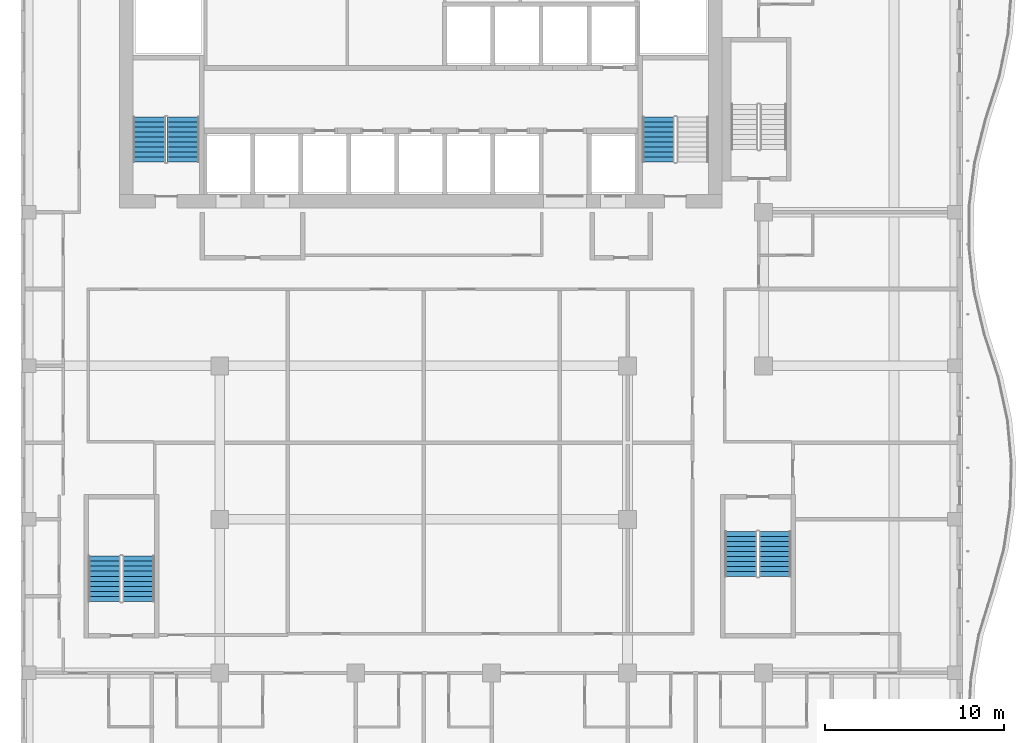
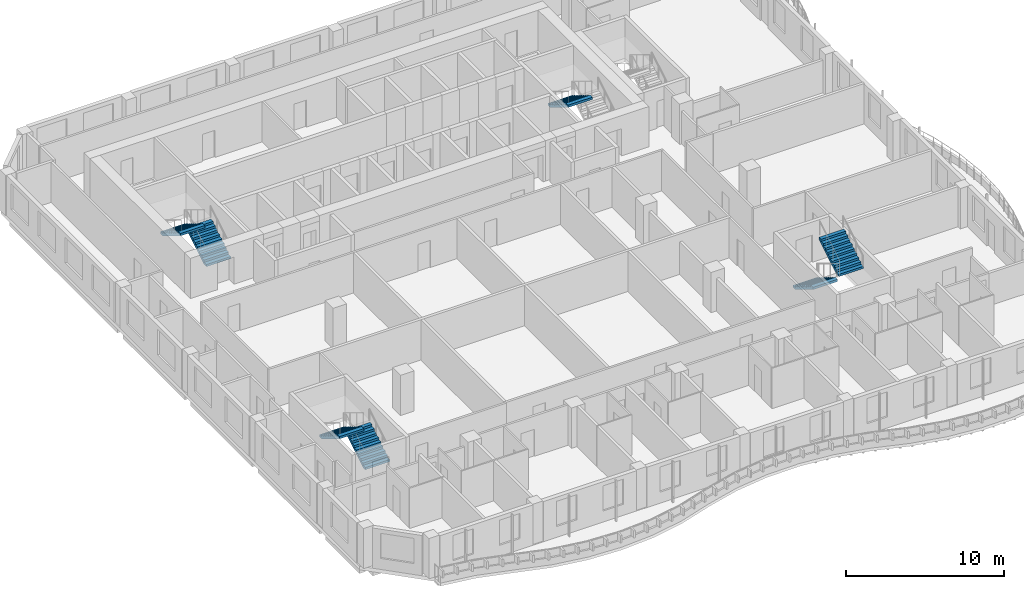
# One storey, part 11 of 21: 7 stair flights, 4 elements without a shape of their own.
"""IFC4 building model written with IfcOpenShell, lengths in metres."""

from ifc_helpers import new_model, si_unit, direction, frame, origin, place, context, subcontext, project, spatial, triangles, source, transform, mapped, material, type_object, element, aggregate, save


model = new_model("IFC4")

# Units and contexts
model_context = context("Model", 3, precision=1e-05, world=origin(), true_north=direction((0.0, 1.0)))
body_context = subcontext(model_context, "Body", "Model", "MODEL_VIEW")
ifc_project = project(units=[si_unit("LENGTHUNIT", "METRE"), si_unit("AREAUNIT", "SQUARE_METRE"), si_unit("VOLUMEUNIT", "CUBIC_METRE"), si_unit("PLANEANGLEUNIT", "RADIAN"), si_unit("MASSUNIT", "GRAM", prefix="KILO")], contexts=[model_context])

# Site, building, storey
site_placement = place(None, origin())
site = spatial("IfcSite", under=ifc_project, at=site_placement, CompositionType="ELEMENT")
building_placement = place(site_placement, origin())
building = spatial("IfcBuilding", under=site, at=building_placement, Name="Kilnfold Tower and Market Hall", CompositionType="ELEMENT")
storey_placement = place(building_placement, frame((0.0, 0.0, 210.10009765625)))
storey = spatial("IfcBuildingStorey", under=building, at=storey_placement, Name="L51", CompositionType="ELEMENT", Elevation=210.10009765625)

# Stair, stair flights
ifc_material_1 = material(Name="Concrete C40/50", Category="concrete")
stair_type = type_object("IfcStairType", Name="CORE STAIR 1800", PredefinedType="HALF_TURN_STAIR", material=ifc_material_1)
stair_1_placement = place(storey_placement, origin())
stair_1 = element("IfcStair", 1, at=stair_1_placement, inside=storey, type_object=stair_type, Name="L51 ST1", PredefinedType="HALF_TURN_STAIR")
ifc_material_2 = material(Name="Concrete C40/50", Category="concrete")
stair_flight_type = type_object("IfcStairFlightType", Name="CORE STAIR FLIGHT 1800", PredefinedType="STRAIGHT", material=ifc_material_2)
shared_shape = source(origin(), body_context, "Body", "Tessellation", [
    triangles([(0.0, 0.89990234375, 0.0), (0.0, 0.78759765625, 0.0), (0.0, 0.675048828125, 0.0), (0.0, 0.5625, 0.0), (0.0, 0.449951171875, 0.0), (0.0, 0.33740234375, 0.0), (0.0, 0.22509765625, 0.0), (0.0, 0.112548828125, 0.0), (0.0, 0.0, 0.0), (0.0, -0.112548828125, 0.0), (0.0, -0.22509765625, 0.0), (0.0, -0.33740234375, 0.0), (0.0, -0.449951171875, 0.0), (0.0, -0.5625, 0.0), (0.0, -0.675048828125, 0.0), (0.0, -0.78759765625, 0.0), (0.0, -0.89990234375, 0.0), (0.0, 0.89990234375, 0.169921875), (0.0, 0.78759765625, 0.169921875), (0.0, 0.675048828125, 0.169921875), (0.0, 0.5625, 0.169921875), (0.0, 0.449951171875, 0.169921875), (0.0, 0.33740234375, 0.169921875), (0.0, 0.22509765625, 0.169921875), (0.0, 0.112548828125, 0.169921875), (0.0, 0.0, 0.169921875), (0.0, -0.112548828125, 0.169921875), (0.0, -0.22509765625, 0.169921875), (0.0, -0.33740234375, 0.169921875), (0.0, -0.449951171875, 0.169921875), (0.0, -0.5625, 0.169921875), (0.0, -0.675048828125, 0.169921875), (0.0, -0.78759765625, 0.169921875), (0.0, -0.89990234375, 0.169921875), (0.280029296875, 0.89990234375, 0.169921875), (0.280029296875, 0.78759765625, 0.169921875), (0.280029296875, 0.675048828125, 0.169921875), (0.280029296875, 0.5625, 0.169921875), (0.280029296875, 0.449951171875, 0.169921875), (0.280029296875, 0.33740234375, 0.169921875), (0.280029296875, 0.22509765625, 0.169921875), (0.280029296875, 0.112548828125, 0.169921875), (0.280029296875, 0.0, 0.169921875), (0.280029296875, -0.112548828125, 0.169921875), (0.280029296875, -0.22509765625, 0.169921875), (0.280029296875, -0.33740234375, 0.169921875), (0.280029296875, -0.449951171875, 0.169921875), (0.280029296875, -0.5625, 0.169921875), (0.280029296875, -0.675048828125, 0.169921875), (0.280029296875, -0.78759765625, 0.169921875), (0.280029296875, -0.89990234375, 0.169921875), (0.280029296875, 0.89990234375, 0.340087890625), (0.280029296875, 0.78759765625, 0.340087890625), (0.280029296875, 0.675048828125, 0.340087890625), (0.280029296875, 0.5625, 0.340087890625), (0.280029296875, 0.449951171875, 0.340087890625), (0.280029296875, 0.33740234375, 0.340087890625), (0.280029296875, 0.22509765625, 0.340087890625), (0.280029296875, 0.112548828125, 0.340087890625), (0.280029296875, 0.0, 0.340087890625), (0.280029296875, -0.112548828125, 0.340087890625), (0.280029296875, -0.22509765625, 0.340087890625), (0.280029296875, -0.33740234375, 0.340087890625), (0.280029296875, -0.449951171875, 0.340087890625), (0.280029296875, -0.5625, 0.340087890625), (0.280029296875, -0.675048828125, 0.340087890625), (0.280029296875, -0.78759765625, 0.340087890625), (0.280029296875, -0.89990234375, 0.340087890625), (0.56005859375, 0.89990234375, 0.340087890625), (0.56005859375, 0.78759765625, 0.340087890625), (0.56005859375, 0.675048828125, 0.340087890625), (0.56005859375, 0.5625, 0.340087890625), (0.56005859375, 0.449951171875, 0.340087890625), (0.56005859375, 0.33740234375, 0.340087890625), (0.56005859375, 0.22509765625, 0.340087890625), (0.56005859375, 0.112548828125, 0.340087890625), (0.56005859375, 0.0, 0.340087890625), (0.56005859375, -0.112548828125, 0.340087890625), (0.56005859375, -0.22509765625, 0.340087890625), (0.56005859375, -0.33740234375, 0.340087890625), (0.56005859375, -0.449951171875, 0.340087890625), (0.56005859375, -0.5625, 0.340087890625), (0.56005859375, -0.675048828125, 0.340087890625), (0.56005859375, -0.78759765625, 0.340087890625), (0.56005859375, -0.89990234375, 0.340087890625), (0.56005859375, 0.89990234375, 0.510009765625), (0.56005859375, 0.78759765625, 0.510009765625), (0.56005859375, 0.675048828125, 0.510009765625), (0.56005859375, 0.5625, 0.510009765625), (0.56005859375, 0.449951171875, 0.510009765625), (0.56005859375, 0.33740234375, 0.510009765625), (0.56005859375, 0.22509765625, 0.510009765625), (0.56005859375, 0.112548828125, 0.510009765625), (0.56005859375, 0.0, 0.510009765625), (0.56005859375, -0.112548828125, 0.510009765625), (0.56005859375, -0.22509765625, 0.510009765625), (0.56005859375, -0.33740234375, 0.510009765625), (0.56005859375, -0.449951171875, 0.510009765625), (0.56005859375, -0.5625, 0.510009765625), (0.56005859375, -0.675048828125, 0.510009765625), (0.56005859375, -0.78759765625, 0.510009765625), (0.56005859375, -0.89990234375, 0.510009765625), (0.840087890625, 0.89990234375, 0.510009765625), (0.840087890625, 0.78759765625, 0.510009765625), (0.840087890625, 0.675048828125, 0.510009765625), (0.840087890625, 0.5625, 0.510009765625), (0.840087890625, 0.449951171875, 0.510009765625), (0.840087890625, 0.33740234375, 0.510009765625), (0.840087890625, 0.22509765625, 0.510009765625), (0.840087890625, 0.112548828125, 0.510009765625), (0.840087890625, 0.0, 0.510009765625), (0.840087890625, -0.112548828125, 0.510009765625), (0.840087890625, -0.22509765625, 0.510009765625), (0.840087890625, -0.33740234375, 0.510009765625), (0.840087890625, -0.449951171875, 0.510009765625), (0.840087890625, -0.5625, 0.510009765625), (0.840087890625, -0.675048828125, 0.510009765625), (0.840087890625, -0.78759765625, 0.510009765625), (0.840087890625, -0.89990234375, 0.510009765625), (0.840087890625, 0.89990234375, 0.679931640625), (0.840087890625, 0.78759765625, 0.679931640625), (0.840087890625, 0.675048828125, 0.679931640625), (0.840087890625, 0.5625, 0.679931640625), (0.840087890625, 0.449951171875, 0.679931640625), (0.840087890625, 0.33740234375, 0.679931640625), (0.840087890625, 0.22509765625, 0.679931640625), (0.840087890625, 0.112548828125, 0.679931640625), (0.840087890625, 0.0, 0.679931640625), (0.840087890625, -0.112548828125, 0.679931640625), (0.840087890625, -0.22509765625, 0.679931640625), (0.840087890625, -0.33740234375, 0.679931640625), (0.840087890625, -0.449951171875, 0.679931640625), (0.840087890625, -0.5625, 0.679931640625), (0.840087890625, -0.675048828125, 0.679931640625), (0.840087890625, -0.78759765625, 0.679931640625), (0.840087890625, -0.89990234375, 0.679931640625), (1.1201171875, 0.89990234375, 0.679931640625), (1.1201171875, 0.78759765625, 0.679931640625), (1.1201171875, 0.675048828125, 0.679931640625), (1.1201171875, 0.5625, 0.679931640625), (1.1201171875, 0.449951171875, 0.679931640625), (1.1201171875, 0.33740234375, 0.679931640625), (1.1201171875, 0.22509765625, 0.679931640625), (1.1201171875, 0.112548828125, 0.679931640625), (1.1201171875, 0.0, 0.679931640625), (1.1201171875, -0.112548828125, 0.679931640625), (1.1201171875, -0.22509765625, 0.679931640625), (1.1201171875, -0.33740234375, 0.679931640625), (1.1201171875, -0.449951171875, 0.679931640625), (1.1201171875, -0.5625, 0.679931640625), (1.1201171875, -0.675048828125, 0.679931640625), (1.1201171875, -0.78759765625, 0.679931640625), (1.1201171875, -0.89990234375, 0.679931640625), (1.1201171875, 0.89990234375, 0.85009765625), (1.1201171875, 0.78759765625, 0.85009765625), (1.1201171875, 0.675048828125, 0.85009765625), (1.1201171875, 0.5625, 0.85009765625), (1.1201171875, 0.449951171875, 0.85009765625), (1.1201171875, 0.33740234375, 0.85009765625), (1.1201171875, 0.22509765625, 0.85009765625), (1.1201171875, 0.112548828125, 0.85009765625), (1.1201171875, 0.0, 0.85009765625), (1.1201171875, -0.112548828125, 0.85009765625), (1.1201171875, -0.22509765625, 0.85009765625), (1.1201171875, -0.33740234375, 0.85009765625), (1.1201171875, -0.449951171875, 0.85009765625), (1.1201171875, -0.5625, 0.85009765625), (1.1201171875, -0.675048828125, 0.85009765625), (1.1201171875, -0.78759765625, 0.85009765625), (1.1201171875, -0.89990234375, 0.85009765625), (1.39990234375, 0.89990234375, 0.85009765625), (1.39990234375, 0.78759765625, 0.85009765625), (1.39990234375, 0.675048828125, 0.85009765625), (1.39990234375, 0.5625, 0.85009765625), (1.39990234375, 0.449951171875, 0.85009765625), (1.39990234375, 0.33740234375, 0.85009765625), (1.39990234375, 0.22509765625, 0.85009765625), (1.39990234375, 0.112548828125, 0.85009765625), (1.39990234375, 0.0, 0.85009765625), (1.39990234375, -0.112548828125, 0.85009765625), (1.39990234375, -0.22509765625, 0.85009765625), (1.39990234375, -0.33740234375, 0.85009765625), (1.39990234375, -0.449951171875, 0.85009765625), (1.39990234375, -0.5625, 0.85009765625), (1.39990234375, -0.675048828125, 0.85009765625), (1.39990234375, -0.78759765625, 0.85009765625), (1.39990234375, -0.89990234375, 0.85009765625), (1.39990234375, 0.89990234375, 1.02001953125), (1.39990234375, 0.78759765625, 1.02001953125), (1.39990234375, 0.675048828125, 1.02001953125), (1.39990234375, 0.5625, 1.02001953125), (1.39990234375, 0.449951171875, 1.02001953125), (1.39990234375, 0.33740234375, 1.02001953125), (1.39990234375, 0.22509765625, 1.02001953125), (1.39990234375, 0.112548828125, 1.02001953125), (1.39990234375, 0.0, 1.02001953125), (1.39990234375, -0.112548828125, 1.02001953125), (1.39990234375, -0.22509765625, 1.02001953125), (1.39990234375, -0.33740234375, 1.02001953125), (1.39990234375, -0.449951171875, 1.02001953125), (1.39990234375, -0.5625, 1.02001953125), (1.39990234375, -0.675048828125, 1.02001953125), (1.39990234375, -0.78759765625, 1.02001953125), (1.39990234375, -0.89990234375, 1.02001953125), (1.679931640625, 0.89990234375, 1.02001953125), (1.679931640625, 0.78759765625, 1.02001953125), (1.679931640625, 0.675048828125, 1.02001953125), (1.679931640625, 0.5625, 1.02001953125), (1.679931640625, 0.449951171875, 1.02001953125), (1.679931640625, 0.33740234375, 1.02001953125), (1.679931640625, 0.22509765625, 1.02001953125), (1.679931640625, 0.112548828125, 1.02001953125), (1.679931640625, 0.0, 1.02001953125), (1.679931640625, -0.112548828125, 1.02001953125), (1.679931640625, -0.22509765625, 1.02001953125), (1.679931640625, -0.33740234375, 1.02001953125), (1.679931640625, -0.449951171875, 1.02001953125), (1.679931640625, -0.5625, 1.02001953125), (1.679931640625, -0.675048828125, 1.02001953125), (1.679931640625, -0.78759765625, 1.02001953125), (1.679931640625, -0.89990234375, 1.02001953125), (1.679931640625, 0.89990234375, 1.18994140625), (1.679931640625, 0.78759765625, 1.18994140625), (1.679931640625, 0.675048828125, 1.18994140625), (1.679931640625, 0.5625, 1.18994140625), (1.679931640625, 0.449951171875, 1.18994140625), (1.679931640625, 0.33740234375, 1.18994140625), (1.679931640625, 0.22509765625, 1.18994140625), (1.679931640625, 0.112548828125, 1.18994140625), (1.679931640625, 0.0, 1.18994140625), (1.679931640625, -0.112548828125, 1.18994140625), (1.679931640625, -0.22509765625, 1.18994140625), (1.679931640625, -0.33740234375, 1.18994140625), (1.679931640625, -0.449951171875, 1.18994140625), (1.679931640625, -0.5625, 1.18994140625), (1.679931640625, -0.675048828125, 1.18994140625), (1.679931640625, -0.78759765625, 1.18994140625), (1.679931640625, -0.89990234375, 1.18994140625), (1.9599609375, 0.89990234375, 1.18994140625), (1.9599609375, 0.78759765625, 1.18994140625), (1.9599609375, 0.675048828125, 1.18994140625), (1.9599609375, 0.5625, 1.18994140625), (1.9599609375, 0.449951171875, 1.18994140625), (1.9599609375, 0.33740234375, 1.18994140625), (1.9599609375, 0.22509765625, 1.18994140625), (1.9599609375, 0.112548828125, 1.18994140625), (1.9599609375, 0.0, 1.18994140625), (1.9599609375, -0.112548828125, 1.18994140625), (1.9599609375, -0.22509765625, 1.18994140625), (1.9599609375, -0.33740234375, 1.18994140625), (1.9599609375, -0.449951171875, 1.18994140625), (1.9599609375, -0.5625, 1.18994140625), (1.9599609375, -0.675048828125, 1.18994140625), (1.9599609375, -0.78759765625, 1.18994140625), (1.9599609375, -0.89990234375, 1.18994140625), (1.9599609375, 0.89990234375, 1.360107421875), (1.9599609375, 0.78759765625, 1.360107421875), (1.9599609375, 0.675048828125, 1.360107421875), (1.9599609375, 0.5625, 1.360107421875), (1.9599609375, 0.449951171875, 1.360107421875), (1.9599609375, 0.33740234375, 1.360107421875), (1.9599609375, 0.22509765625, 1.360107421875), (1.9599609375, 0.112548828125, 1.360107421875), (1.9599609375, 0.0, 1.360107421875), (1.9599609375, -0.112548828125, 1.360107421875), (1.9599609375, -0.22509765625, 1.360107421875), (1.9599609375, -0.33740234375, 1.360107421875), (1.9599609375, -0.449951171875, 1.360107421875), (1.9599609375, -0.5625, 1.360107421875), (1.9599609375, -0.675048828125, 1.360107421875), (1.9599609375, -0.78759765625, 1.360107421875), (1.9599609375, -0.89990234375, 1.360107421875), (2.239990234375, 0.89990234375, 1.360107421875), (2.239990234375, 0.78759765625, 1.360107421875), (2.239990234375, 0.675048828125, 1.360107421875), (2.239990234375, 0.5625, 1.360107421875), (2.239990234375, 0.449951171875, 1.360107421875), (2.239990234375, 0.33740234375, 1.360107421875), (2.239990234375, 0.22509765625, 1.360107421875), (2.239990234375, 0.112548828125, 1.360107421875), (2.239990234375, 0.0, 1.360107421875), (2.239990234375, -0.112548828125, 1.360107421875), (2.239990234375, -0.22509765625, 1.360107421875), (2.239990234375, -0.33740234375, 1.360107421875), (2.239990234375, -0.449951171875, 1.360107421875), (2.239990234375, -0.5625, 1.360107421875), (2.239990234375, -0.675048828125, 1.360107421875), (2.239990234375, -0.78759765625, 1.360107421875), (2.239990234375, -0.89990234375, 1.360107421875), (2.239990234375, 0.89990234375, 1.530029296875), (2.239990234375, 0.78759765625, 1.530029296875), (2.239990234375, 0.675048828125, 1.530029296875), (2.239990234375, 0.5625, 1.530029296875), (2.239990234375, 0.449951171875, 1.530029296875), (2.239990234375, 0.33740234375, 1.530029296875), (2.239990234375, 0.22509765625, 1.530029296875), (2.239990234375, 0.112548828125, 1.530029296875), (2.239990234375, 0.0, 1.530029296875), (2.239990234375, -0.112548828125, 1.530029296875), (2.239990234375, -0.22509765625, 1.530029296875), (2.239990234375, -0.33740234375, 1.530029296875), (2.239990234375, -0.449951171875, 1.530029296875), (2.239990234375, -0.5625, 1.530029296875), (2.239990234375, -0.675048828125, 1.530029296875), (2.239990234375, -0.78759765625, 1.530029296875), (2.239990234375, -0.89990234375, 1.530029296875), (2.52001953125, 0.89990234375, 1.530029296875), (2.52001953125, 0.78759765625, 1.530029296875), (2.52001953125, 0.675048828125, 1.530029296875), (2.52001953125, 0.5625, 1.530029296875), (2.52001953125, 0.449951171875, 1.530029296875), (2.52001953125, 0.33740234375, 1.530029296875), (2.52001953125, 0.22509765625, 1.530029296875), (2.52001953125, 0.112548828125, 1.530029296875), (2.52001953125, 0.0, 1.530029296875), (2.52001953125, -0.112548828125, 1.530029296875), (2.52001953125, -0.22509765625, 1.530029296875), (2.52001953125, -0.33740234375, 1.530029296875), (2.52001953125, -0.449951171875, 1.530029296875), (2.52001953125, -0.5625, 1.530029296875), (2.52001953125, -0.675048828125, 1.530029296875), (2.52001953125, -0.78759765625, 1.530029296875), (2.52001953125, -0.89990234375, 1.530029296875), (2.52001953125, 0.89990234375, 1.354736328125), (2.52001953125, 0.78759765625, 1.354736328125), (2.52001953125, 0.675048828125, 1.354736328125), (2.52001953125, 0.5625, 1.354736328125), (2.52001953125, 0.449951171875, 1.354736328125), (2.52001953125, 0.33740234375, 1.354736328125), (2.52001953125, 0.22509765625, 1.354736328125), (2.52001953125, 0.112548828125, 1.354736328125), (2.52001953125, 0.0, 1.354736328125), (2.52001953125, -0.112548828125, 1.354736328125), (2.52001953125, -0.22509765625, 1.354736328125), (2.52001953125, -0.33740234375, 1.354736328125), (2.52001953125, -0.449951171875, 1.354736328125), (2.52001953125, -0.5625, 1.354736328125), (2.52001953125, -0.675048828125, 1.354736328125), (2.52001953125, -0.78759765625, 1.354736328125), (2.52001953125, -0.89990234375, 1.354736328125), (0.288818359375, 0.89990234375, 0.0), (0.288818359375, 0.78759765625, 0.0), (0.288818359375, 0.675048828125, 0.0), (0.288818359375, 0.5625, 0.0), (0.288818359375, 0.449951171875, 0.0), (0.288818359375, 0.33740234375, 0.0), (0.288818359375, 0.22509765625, 0.0), (0.288818359375, 0.112548828125, 0.0), (0.288818359375, 0.0, 0.0), (0.288818359375, -0.112548828125, 0.0), (0.288818359375, -0.22509765625, 0.0), (0.288818359375, -0.33740234375, 0.0), (0.288818359375, -0.449951171875, 0.0), (0.288818359375, -0.5625, 0.0), (0.288818359375, -0.675048828125, 0.0), (0.288818359375, -0.78759765625, 0.0), (0.288818359375, -0.89990234375, 0.0)], [[1, 324, 341], [17, 357, 340], [324, 290, 307], [340, 323, 306], [324, 273, 290], [340, 306, 289], [324, 256, 273], [340, 289, 272], [324, 239, 256], [340, 272, 255], [239, 205, 222], [255, 238, 221], [324, 205, 239], [340, 255, 221], [205, 171, 188], [221, 204, 187], [324, 171, 205], [340, 221, 187], [171, 137, 154], [187, 170, 153], [324, 137, 171], [340, 187, 153], [137, 103, 120], [153, 136, 119], [324, 103, 137], [340, 153, 119], [103, 69, 86], [119, 102, 85], [324, 69, 103], [340, 119, 85], [69, 35, 52], [85, 68, 51], [324, 35, 69], [340, 85, 51], [1, 35, 324], [17, 340, 51], [35, 1, 18], [51, 34, 17], [1, 19, 18], [1, 2, 19], [2, 20, 19], [2, 3, 20], [3, 21, 20], [3, 4, 21], [4, 22, 21], [4, 5, 22], [5, 23, 22], [5, 6, 23], [6, 24, 23], [6, 7, 24], [7, 25, 24], [7, 8, 25], [8, 26, 25], [8, 9, 26], [9, 27, 26], [9, 10, 27], [10, 28, 27], [10, 11, 28], [11, 29, 28], [11, 12, 29], [12, 30, 29], [12, 13, 30], [13, 31, 30], [13, 14, 31], [14, 32, 31], [14, 15, 32], [15, 33, 32], [15, 16, 33], [16, 34, 33], [16, 17, 34], [18, 36, 35], [18, 19, 36], [19, 37, 36], [19, 20, 37], [20, 38, 37], [20, 21, 38], [21, 39, 38], [21, 22, 39], [22, 40, 39], [22, 23, 40], [23, 41, 40], [23, 24, 41], [24, 42, 41], [24, 25, 42], [25, 43, 42], [25, 26, 43], [26, 44, 43], [26, 27, 44], [27, 45, 44], [27, 28, 45], [28, 46, 45], [28, 29, 46], [29, 47, 46], [29, 30, 47], [30, 48, 47], [30, 31, 48], [31, 49, 48], [31, 32, 49], [32, 50, 49], [32, 33, 50], [33, 51, 50], [33, 34, 51], [35, 53, 52], [35, 36, 53], [36, 54, 53], [36, 37, 54], [37, 55, 54], [37, 38, 55], [38, 56, 55], [38, 39, 56], [39, 57, 56], [39, 40, 57], [40, 58, 57], [40, 41, 58], [41, 59, 58], [41, 42, 59], [42, 60, 59], [42, 43, 60], [43, 61, 60], [43, 44, 61], [44, 62, 61], [44, 45, 62], [45, 63, 62], [45, 46, 63], [46, 64, 63], [46, 47, 64], [47, 65, 64], [47, 48, 65], [48, 66, 65], [48, 49, 66], [49, 67, 66], [49, 50, 67], [50, 68, 67], [50, 51, 68], [52, 70, 69], [52, 53, 70], [53, 71, 70], [53, 54, 71], [54, 72, 71], [54, 55, 72], [55, 73, 72], [55, 56, 73], [56, 74, 73], [56, 57, 74], [57, 75, 74], [57, 58, 75], [58, 76, 75], [58, 59, 76], [59, 77, 76], [59, 60, 77], [60, 78, 77], [60, 61, 78], [61, 79, 78], [61, 62, 79], [62, 80, 79], [62, 63, 80], [63, 81, 80], [63, 64, 81], [64, 82, 81], [64, 65, 82], [65, 83, 82], [65, 66, 83], [66, 84, 83], [66, 67, 84], [67, 85, 84], [67, 68, 85], [69, 87, 86], [69, 70, 87], [70, 88, 87], [70, 71, 88], [71, 89, 88], [71, 72, 89], [72, 90, 89], [72, 73, 90], [73, 91, 90], [73, 74, 91], [74, 92, 91], [74, 75, 92], [75, 93, 92], [75, 76, 93], [76, 94, 93], [76, 77, 94], [77, 95, 94], [77, 78, 95], [78, 96, 95], [78, 79, 96], [79, 97, 96], [79, 80, 97], [80, 98, 97], [80, 81, 98], [81, 99, 98], [81, 82, 99], [82, 100, 99], [82, 83, 100], [83, 101, 100], [83, 84, 101], [84, 102, 101], [84, 85, 102], [86, 104, 103], [86, 87, 104], [87, 105, 104], [87, 88, 105], [88, 106, 105], [88, 89, 106], [89, 107, 106], [89, 90, 107], [90, 108, 107], [90, 91, 108], [91, 109, 108], [91, 92, 109], [92, 110, 109], [92, 93, 110], [93, 111, 110], [93, 94, 111], [94, 112, 111], [94, 95, 112], [95, 113, 112], [95, 96, 113], [96, 114, 113], [96, 97, 114], [97, 115, 114], [97, 98, 115], [98, 116, 115], [98, 99, 116], [99, 117, 116], [99, 100, 117], [100, 118, 117], [100, 101, 118], [101, 119, 118], [101, 102, 119], [103, 121, 120], [103, 104, 121], [104, 122, 121], [104, 105, 122], [105, 123, 122], [105, 106, 123], [106, 124, 123], [106, 107, 124], [107, 125, 124], [107, 108, 125], [108, 126, 125], [108, 109, 126], [109, 127, 126], [109, 110, 127], [110, 128, 127], [110, 111, 128], [111, 129, 128], [111, 112, 129], [112, 130, 129], [112, 113, 130], [113, 131, 130], [113, 114, 131], [114, 132, 131], [114, 115, 132], [115, 133, 132], [115, 116, 133], [116, 134, 133], [116, 117, 134], [117, 135, 134], [117, 118, 135], [118, 136, 135], [118, 119, 136], [120, 138, 137], [120, 121, 138], [121, 139, 138], [121, 122, 139], [122, 140, 139], [122, 123, 140], [123, 141, 140], [123, 124, 141], [124, 142, 141], [124, 125, 142], [125, 143, 142], [125, 126, 143], [126, 144, 143], [126, 127, 144], [127, 145, 144], [127, 128, 145], [128, 146, 145], [128, 129, 146], [129, 147, 146], [129, 130, 147], [130, 148, 147], [130, 131, 148], [131, 149, 148], [131, 132, 149], [132, 150, 149], [132, 133, 150], [133, 151, 150], [133, 134, 151], [134, 152, 151], [134, 135, 152], [135, 153, 152], [135, 136, 153], [137, 155, 154], [137, 138, 155], [138, 156, 155], [138, 139, 156], [139, 157, 156], [139, 140, 157], [140, 158, 157], [140, 141, 158], [141, 159, 158], [141, 142, 159], [142, 160, 159], [142, 143, 160], [143, 161, 160], [143, 144, 161], [144, 162, 161], [144, 145, 162], [145, 163, 162], [145, 146, 163], [146, 164, 163], [146, 147, 164], [147, 165, 164], [147, 148, 165], [148, 166, 165], [148, 149, 166], [149, 167, 166], [149, 150, 167], [150, 168, 167], [150, 151, 168], [151, 169, 168], [151, 152, 169], [152, 170, 169], [152, 153, 170], [154, 172, 171], [154, 155, 172], [155, 173, 172], [155, 156, 173], [156, 174, 173], [156, 157, 174], [157, 175, 174], [157, 158, 175], [158, 176, 175], [158, 159, 176], [159, 177, 176], [159, 160, 177], [160, 178, 177], [160, 161, 178], [161, 179, 178], [161, 162, 179], [162, 180, 179], [162, 163, 180], [163, 181, 180], [163, 164, 181], [164, 182, 181], [164, 165, 182], [165, 183, 182], [165, 166, 183], [166, 184, 183], [166, 167, 184], [167, 185, 184], [167, 168, 185], [168, 186, 185], [168, 169, 186], [169, 187, 186], [169, 170, 187], [171, 189, 188], [171, 172, 189], [172, 190, 189], [172, 173, 190], [173, 191, 190], [173, 174, 191], [174, 192, 191], [174, 175, 192], [175, 193, 192], [175, 176, 193], [176, 194, 193], [176, 177, 194], [177, 195, 194], [177, 178, 195], [178, 196, 195], [178, 179, 196], [179, 197, 196], [179, 180, 197], [180, 198, 197], [180, 181, 198], [181, 199, 198], [181, 182, 199], [182, 200, 199], [182, 183, 200], [183, 201, 200], [183, 184, 201], [184, 202, 201], [184, 185, 202], [185, 203, 202], [185, 186, 203], [186, 204, 203], [186, 187, 204], [188, 206, 205], [188, 189, 206], [189, 207, 206], [189, 190, 207], [190, 208, 207], [190, 191, 208], [191, 209, 208], [191, 192, 209], [192, 210, 209], [192, 193, 210], [193, 211, 210], [193, 194, 211], [194, 212, 211], [194, 195, 212], [195, 213, 212], [195, 196, 213], [196, 214, 213], [196, 197, 214], [197, 215, 214], [197, 198, 215], [198, 216, 215], [198, 199, 216], [199, 217, 216], [199, 200, 217], [200, 218, 217], [200, 201, 218], [201, 219, 218], [201, 202, 219], [202, 220, 219], [202, 203, 220], [203, 221, 220], [203, 204, 221], [205, 223, 222], [205, 206, 223], [206, 224, 223], [206, 207, 224], [207, 225, 224], [207, 208, 225], [208, 226, 225], [208, 209, 226], [209, 227, 226], [209, 210, 227], [210, 228, 227], [210, 211, 228], [211, 229, 228], [211, 212, 229], [212, 230, 229], [212, 213, 230], [213, 231, 230], [213, 214, 231], [214, 232, 231], [214, 215, 232], [215, 233, 232], [215, 216, 233], [216, 234, 233], [216, 217, 234], [217, 235, 234], [217, 218, 235], [218, 236, 235], [218, 219, 236], [219, 237, 236], [219, 220, 237], [220, 238, 237], [220, 221, 238], [222, 240, 239], [222, 223, 240], [223, 241, 240], [223, 224, 241], [224, 242, 241], [224, 225, 242], [225, 243, 242], [225, 226, 243], [226, 244, 243], [226, 227, 244], [227, 245, 244], [227, 228, 245], [228, 246, 245], [228, 229, 246], [229, 247, 246], [229, 230, 247], [230, 248, 247], [230, 231, 248], [231, 249, 248], [231, 232, 249], [232, 250, 249], [232, 233, 250], [233, 251, 250], [233, 234, 251], [234, 252, 251], [234, 235, 252], [235, 253, 252], [235, 236, 253], [236, 254, 253], [236, 237, 254], [237, 255, 254], [237, 238, 255], [239, 257, 256], [239, 240, 257], [240, 258, 257], [240, 241, 258], [241, 259, 258], [241, 242, 259], [242, 260, 259], [242, 243, 260], [243, 261, 260], [243, 244, 261], [244, 262, 261], [244, 245, 262], [245, 263, 262], [245, 246, 263], [246, 264, 263], [246, 247, 264], [247, 265, 264], [247, 248, 265], [248, 266, 265], [248, 249, 266], [249, 267, 266], [249, 250, 267], [250, 268, 267], [250, 251, 268], [251, 269, 268], [251, 252, 269], [252, 270, 269], [252, 253, 270], [253, 271, 270], [253, 254, 271], [254, 272, 271], [254, 255, 272], [256, 274, 273], [256, 257, 274], [257, 275, 274], [257, 258, 275], [258, 276, 275], [258, 259, 276], [259, 277, 276], [259, 260, 277], [260, 278, 277], [260, 261, 278], [261, 279, 278], [261, 262, 279], [262, 280, 279], [262, 263, 280], [263, 281, 280], [263, 264, 281], [264, 282, 281], [264, 265, 282], [265, 283, 282], [265, 266, 283], [266, 284, 283], [266, 267, 284], [267, 285, 284], [267, 268, 285], [268, 286, 285], [268, 269, 286], [269, 287, 286], [269, 270, 287], [270, 288, 287], [270, 271, 288], [271, 289, 288], [271, 272, 289], [273, 291, 290], [273, 274, 291], [274, 292, 291], [274, 275, 292], [275, 293, 292], [275, 276, 293], [276, 294, 293], [276, 277, 294], [277, 295, 294], [277, 278, 295], [278, 296, 295], [278, 279, 296], [279, 297, 296], [279, 280, 297], [280, 298, 297], [280, 281, 298], [281, 299, 298], [281, 282, 299], [282, 300, 299], [282, 283, 300], [283, 301, 300], [283, 284, 301], [284, 302, 301], [284, 285, 302], [285, 303, 302], [285, 286, 303], [286, 304, 303], [286, 287, 304], [287, 305, 304], [287, 288, 305], [288, 306, 305], [288, 289, 306], [290, 308, 307], [290, 291, 308], [291, 309, 308], [291, 292, 309], [292, 310, 309], [292, 293, 310], [293, 311, 310], [293, 294, 311], [294, 312, 311], [294, 295, 312], [295, 313, 312], [295, 296, 313], [296, 314, 313], [296, 297, 314], [297, 315, 314], [297, 298, 315], [298, 316, 315], [298, 299, 316], [299, 317, 316], [299, 300, 317], [300, 318, 317], [300, 301, 318], [301, 319, 318], [301, 302, 319], [302, 320, 319], [302, 303, 320], [303, 321, 320], [303, 304, 321], [304, 322, 321], [304, 305, 322], [305, 323, 322], [305, 306, 323], [307, 325, 324], [307, 308, 325], [308, 326, 325], [308, 309, 326], [309, 327, 326], [309, 310, 327], [310, 328, 327], [310, 311, 328], [311, 329, 328], [311, 312, 329], [312, 330, 329], [312, 313, 330], [313, 331, 330], [313, 314, 331], [314, 332, 331], [314, 315, 332], [315, 333, 332], [315, 316, 333], [316, 334, 333], [316, 317, 334], [317, 335, 334], [317, 318, 335], [318, 336, 335], [318, 319, 336], [319, 337, 336], [319, 320, 337], [320, 338, 337], [320, 321, 338], [321, 339, 338], [321, 322, 339], [322, 340, 339], [322, 323, 340], [324, 342, 341], [324, 325, 342], [325, 343, 342], [325, 326, 343], [326, 344, 343], [326, 327, 344], [327, 345, 344], [327, 328, 345], [328, 346, 345], [328, 329, 346], [329, 347, 346], [329, 330, 347], [330, 348, 347], [330, 331, 348], [331, 349, 348], [331, 332, 349], [332, 350, 349], [332, 333, 350], [333, 351, 350], [333, 334, 351], [334, 352, 351], [334, 335, 352], [335, 353, 352], [335, 336, 353], [336, 354, 353], [336, 337, 354], [337, 355, 354], [337, 338, 355], [338, 356, 355], [338, 339, 356], [339, 357, 356], [339, 340, 357], [341, 2, 1], [341, 342, 2], [342, 3, 2], [342, 343, 3], [343, 4, 3], [343, 344, 4], [344, 5, 4], [344, 345, 5], [345, 6, 5], [345, 346, 6], [346, 7, 6], [346, 347, 7], [347, 8, 7], [347, 348, 8], [348, 9, 8], [348, 349, 9], [349, 10, 9], [349, 350, 10], [350, 11, 10], [350, 351, 11], [351, 12, 11], [351, 352, 12], [352, 13, 12], [352, 353, 13], [353, 14, 13], [353, 354, 14], [354, 15, 14], [354, 355, 15], [355, 16, 15], [355, 356, 16], [356, 17, 16], [356, 357, 17]], closed=True),
])
stair_flight_1_placement = place(storey_placement, frame((-12.199951171875, 10.800048828125, 0.0), z_axis=(0.0, 0.0, 1.0), x_axis=(0.0, 1.0, 0.0)))
stair_flight_1 = element("IfcStairFlight", 2, at=stair_flight_1_placement, type_object=stair_flight_type, Name="ST1 flight 1", NumberOfRisers=10, NumberOfTreads=9, PredefinedType="STRAIGHT", RiserHeight=0.17, TreadLength=0.28, context=body_context, shape_type="MappedRepresentation", body=[
    mapped(shared_shape, transform((0.0, 0.0, 0.0))),
])
stair_flight_2_placement = place(storey_placement, frame((-14.10009765625, 13.320068359375, 1.699951171875), z_axis=(0.0, 0.0, 1.0), x_axis=(0.0, -1.0, 0.0)))
stair_flight_2 = element("IfcStairFlight", 3, at=stair_flight_2_placement, type_object=stair_flight_type, Name="ST1 flight 2", NumberOfRisers=10, NumberOfTreads=9, PredefinedType="STRAIGHT", RiserHeight=0.17, TreadLength=0.28, context=body_context, shape_type="MappedRepresentation", body=[
    mapped(shared_shape, transform((0.0, 0.0, 0.0))),
])
aggregate(stair_1, [stair_flight_1, stair_flight_2])

# Stair, stair flight
stair_2_placement = place(storey_placement, origin())
stair_2 = element("IfcStair", 4, at=stair_2_placement, inside=storey, type_object=stair_type, Name="L51 ST2", PredefinedType="HALF_TURN_STAIR")
stair_flight_3_placement = place(storey_placement, frame((14.300048828125, 13.320068359375, 1.699951171875), z_axis=(0.0, 0.0, 1.0), x_axis=(0.0, -1.0, 0.0)))
stair_flight_3 = element("IfcStairFlight", 5, at=stair_flight_3_placement, type_object=stair_flight_type, Name="ST2 flight 2", NumberOfRisers=10, NumberOfTreads=9, PredefinedType="STRAIGHT", RiserHeight=0.17, TreadLength=0.28, context=body_context, shape_type="MappedRepresentation", body=[
    mapped(shared_shape, transform((0.0, 0.0, 0.0))),
])
aggregate(stair_2, [stair_flight_3])

# Stair, stair flights
stair_3_placement = place(storey_placement, origin())
stair_3 = element("IfcStair", 6, at=stair_3_placement, inside=storey, type_object=stair_type, Name="L51 ST3", PredefinedType="HALF_TURN_STAIR")
stair_flight_4_placement = place(storey_placement, frame((-14.699951171875, -13.699951171875, 0.0), z_axis=(0.0, 0.0, 1.0), x_axis=(0.0, 1.0, 0.0)))
stair_flight_4 = element("IfcStairFlight", 7, at=stair_flight_4_placement, type_object=stair_flight_type, Name="ST3 flight 1", NumberOfRisers=10, NumberOfTreads=9, PredefinedType="STRAIGHT", RiserHeight=0.17, TreadLength=0.28, context=body_context, shape_type="MappedRepresentation", body=[
    mapped(shared_shape, transform((0.0, 0.0, 0.0))),
])
stair_flight_5_placement = place(storey_placement, frame((-16.60009765625, -11.179931640625, 1.699951171875), z_axis=(0.0, 0.0, 1.0), x_axis=(0.0, -1.0, 0.0)))
stair_flight_5 = element("IfcStairFlight", 8, at=stair_flight_5_placement, type_object=stair_flight_type, Name="ST3 flight 2", NumberOfRisers=10, NumberOfTreads=9, PredefinedType="STRAIGHT", RiserHeight=0.17, TreadLength=0.28, context=body_context, shape_type="MappedRepresentation", body=[
    mapped(shared_shape, transform((0.0, 0.0, 0.0))),
])
aggregate(stair_3, [stair_flight_4, stair_flight_5])

stair_4_placement = place(storey_placement, origin())
stair_4 = element("IfcStair", 9, at=stair_4_placement, inside=storey, type_object=stair_type, Name="L51 ST4", PredefinedType="HALF_TURN_STAIR")
stair_flight_6_placement = place(storey_placement, frame((18.89990234375, -9.800048828125, 0.0), z_axis=(0.0, 0.0, 1.0), x_axis=(0.0, -1.0, 0.0)))
stair_flight_6 = element("IfcStairFlight", 10, at=stair_flight_6_placement, type_object=stair_flight_type, Name="ST4 flight 1", NumberOfRisers=10, NumberOfTreads=9, PredefinedType="STRAIGHT", RiserHeight=0.17, TreadLength=0.28, context=body_context, shape_type="MappedRepresentation", body=[
    mapped(shared_shape, transform((0.0, 0.0, 0.0))),
])
stair_flight_7_placement = place(storey_placement, frame((20.800048828125, -12.320068359375, 1.699951171875), z_axis=(0.0, 0.0, 1.0), x_axis=(0.0, 1.0, 0.0)))
stair_flight_7 = element("IfcStairFlight", 11, at=stair_flight_7_placement, type_object=stair_flight_type, Name="ST4 flight 2", NumberOfRisers=10, NumberOfTreads=9, PredefinedType="STRAIGHT", RiserHeight=0.17, TreadLength=0.28, context=body_context, shape_type="MappedRepresentation", body=[
    mapped(shared_shape, transform((0.0, 0.0, 0.0))),
])
aggregate(stair_4, [stair_flight_6, stair_flight_7])

save(model, "model.ifc")
